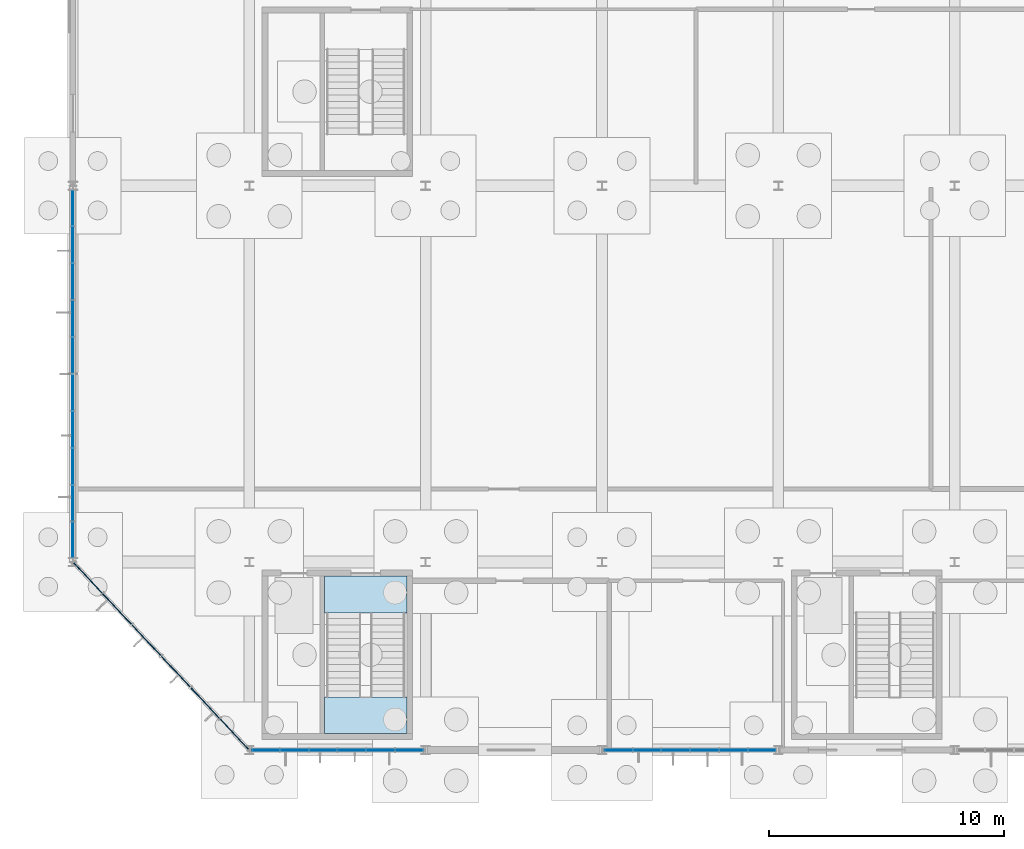
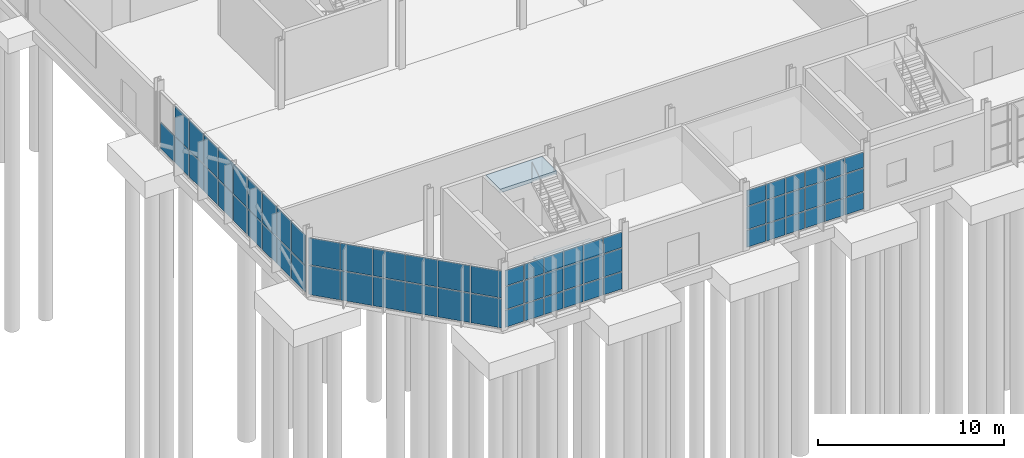
# One storey, part 81 of 136: 67 plates, 2 slabs, 5 elements without a shape of their own.
"""IFC4 building model written with IfcOpenShell, lengths in metres."""

from ifc_helpers import new_model, si_unit, direction, frame, origin, origin_2d, place, context, subcontext, project, spatial, polyline, rectangle, outline, extrude, material, layer, layer_set, type_object, element, aggregate, save


model = new_model("IFC4")

# Units and contexts
model_context = context("Model", 3, precision=1e-05, world=origin(), true_north=direction((0.0, 1.0)))
body_context = subcontext(model_context, "Body", "Model", "MODEL_VIEW")
ifc_project = project(units=[si_unit("LENGTHUNIT", "METRE"), si_unit("AREAUNIT", "SQUARE_METRE"), si_unit("VOLUMEUNIT", "CUBIC_METRE"), si_unit("PLANEANGLEUNIT", "RADIAN"), si_unit("MASSUNIT", "GRAM", prefix="KILO")], contexts=[model_context])

# Site, building, storey
site_placement = place(None, origin())
site = spatial("IfcSite", under=ifc_project, at=site_placement, CompositionType="ELEMENT")
building_placement = place(site_placement, origin())
building = spatial("IfcBuilding", under=site, at=building_placement, Name="Solvenia Promenade Tram Depot", CompositionType="ELEMENT")
storey_placement = place(building_placement, origin())
storey = spatial("IfcBuildingStorey", under=building, at=storey_placement, Name="L00", CompositionType="ELEMENT", Elevation=0.0)

# Curtain wall, plates
ifc_material_1 = material(Name="Anodized aluminium AW-6063 T6", Category="aluminium")
ifc_layer_1 = layer(ifc_material_1, 0.179931640625, Name="Anodized aluminium AW-6063 T6", Category="aluminium")
ifc_layer_set_1 = layer_set([ifc_layer_1], Name="Anodized aluminium AW-6063 T6")
curtain_wall_type_1 = type_object("IfcCurtainWallType", Name="CW-Prom-1800", PredefinedType="NOTDEFINED", material=ifc_layer_set_1)
curtain_wall_1_placement = place(storey_placement, origin())
curtain_wall_1 = element("IfcCurtainWall", 1, at=curtain_wall_1_placement, inside=storey, type_object=curtain_wall_type_1, Name="L00 West Park Faceted Prow Curtain Wall", PredefinedType="NOTDEFINED")
ifc_material_2 = material(Name="Double low-e argon insulated glass", Category="glass")
ifc_layer_2 = layer(ifc_material_2, 0.035888671875, Name="Double low-e argon insulated glass", Category="glass")
ifc_layer_set_2 = layer_set([ifc_layer_2], Name="Double low-e argon insulated glass")
plate_type = type_object("IfcPlateType", Name="CWP-Panel-3", PredefinedType="CURTAIN_PANEL", material=ifc_layer_set_2)
plate_1_placement = place(storey_placement, frame((0.63330078125, 7.324462890625, 0.057861328125), z_axis=(0.0, 0.0, 1.0), x_axis=(0.683941128881, -0.72953720414, 0.0)))
plate_1 = element("IfcPlate", 2, at=plate_1_placement, type_object=plate_type, Name="CW-9 panel 1.1", PredefinedType="CURTAIN_PANEL", context=body_context, shape_type="SweptSolid", body=[
    extrude(rectangle(XDim=1.755615234375, YDim=0.035888671875, at=origin_2d()), origin(), (0.0, 0.0, 1.0), 1.9130859375),
])
plate_2_placement = place(storey_placement, frame((0.63330078125, 7.324462890625, 2.02880859375), z_axis=(0.0, 0.0, 1.0), x_axis=(0.683941128881, -0.72953720414, 0.0)))
plate_2 = element("IfcPlate", 3, at=plate_2_placement, type_object=plate_type, Name="CW-9 panel 1.2", PredefinedType="CURTAIN_PANEL", context=body_context, shape_type="SweptSolid", body=[
    extrude(rectangle(XDim=1.755615234375, YDim=0.035888671875, at=origin_2d()), origin(), (0.0, 0.0, 1.0), 1.762939453125),
])
plate_3_placement = place(storey_placement, frame((1.875, 6.0, 0.057861328125), z_axis=(0.0, 0.0, 1.0), x_axis=(0.683941128881, -0.72953720414, 0.0)))
plate_3 = element("IfcPlate", 4, at=plate_3_placement, type_object=plate_type, Name="CW-9 panel 2.1", PredefinedType="CURTAIN_PANEL", context=body_context, shape_type="SweptSolid", body=[
    extrude(rectangle(XDim=1.779541015625, YDim=0.035888671875, at=origin_2d()), origin(), (0.0, 0.0, 1.0), 1.9130859375),
])
plate_4_placement = place(storey_placement, frame((1.875, 6.0, 2.02880859375), z_axis=(0.0, 0.0, 1.0), x_axis=(0.683941128881, -0.72953720414, 0.0)))
plate_4 = element("IfcPlate", 5, at=plate_4_placement, type_object=plate_type, Name="CW-9 panel 2.2", PredefinedType="CURTAIN_PANEL", context=body_context, shape_type="SweptSolid", body=[
    extrude(rectangle(XDim=1.779541015625, YDim=0.035888671875, at=origin_2d()), origin(), (0.0, 0.0, 1.0), 1.762939453125),
])
plate_5_placement = place(storey_placement, frame((3.125, 4.666748046875, 0.057861328125), z_axis=(0.0, 0.0, 1.0), x_axis=(0.683941128881, -0.72953720414, 0.0)))
plate_5 = element("IfcPlate", 6, at=plate_5_placement, type_object=plate_type, Name="CW-9 panel 3.1", PredefinedType="CURTAIN_PANEL", context=body_context, shape_type="SweptSolid", body=[
    extrude(rectangle(XDim=1.779541015625, YDim=0.035888671875, at=origin_2d()), origin(), (0.0, 0.0, 1.0), 1.9130859375),
])
plate_6_placement = place(storey_placement, frame((3.125, 4.666748046875, 2.02880859375), z_axis=(0.0, 0.0, 1.0), x_axis=(0.683941128881, -0.72953720414, 0.0)))
plate_6 = element("IfcPlate", 7, at=plate_6_placement, type_object=plate_type, Name="CW-9 panel 3.2", PredefinedType="CURTAIN_PANEL", context=body_context, shape_type="SweptSolid", body=[
    extrude(rectangle(XDim=1.779541015625, YDim=0.035888671875, at=origin_2d()), origin(), (0.0, 0.0, 1.0), 1.762939453125),
])
plate_7_placement = place(storey_placement, frame((4.375, 3.333251953125, 0.057861328125), z_axis=(0.0, 0.0, 1.0), x_axis=(0.683941128881, -0.72953720414, 0.0)))
plate_7 = element("IfcPlate", 8, at=plate_7_placement, type_object=plate_type, Name="CW-9 panel 4.1", PredefinedType="CURTAIN_PANEL", context=body_context, shape_type="SweptSolid", body=[
    extrude(rectangle(XDim=1.779541015625, YDim=0.035888671875, at=origin_2d()), origin(), (0.0, 0.0, 1.0), 1.9130859375),
])
plate_8_placement = place(storey_placement, frame((4.375, 3.333251953125, 2.02880859375), z_axis=(0.0, 0.0, 1.0), x_axis=(0.683941128881, -0.72953720414, 0.0)))
plate_8 = element("IfcPlate", 9, at=plate_8_placement, type_object=plate_type, Name="CW-9 panel 4.2", PredefinedType="CURTAIN_PANEL", context=body_context, shape_type="SweptSolid", body=[
    extrude(rectangle(XDim=1.779541015625, YDim=0.035888671875, at=origin_2d()), origin(), (0.0, 0.0, 1.0), 1.762939453125),
])
plate_9_placement = place(storey_placement, frame((5.625, 2.0, 0.057861328125), z_axis=(0.0, 0.0, 1.0), x_axis=(0.683941128881, -0.72953720414, 0.0)))
plate_9 = element("IfcPlate", 10, at=plate_9_placement, type_object=plate_type, Name="CW-9 panel 5.1", PredefinedType="CURTAIN_PANEL", context=body_context, shape_type="SweptSolid", body=[
    extrude(rectangle(XDim=1.779541015625, YDim=0.035888671875, at=origin_2d()), origin(), (0.0, 0.0, 1.0), 1.9130859375),
])
plate_10_placement = place(storey_placement, frame((5.625, 2.0, 2.02880859375), z_axis=(0.0, 0.0, 1.0), x_axis=(0.683941128881, -0.72953720414, 0.0)))
plate_10 = element("IfcPlate", 11, at=plate_10_placement, type_object=plate_type, Name="CW-9 panel 5.2", PredefinedType="CURTAIN_PANEL", context=body_context, shape_type="SweptSolid", body=[
    extrude(rectangle(XDim=1.779541015625, YDim=0.035888671875, at=origin_2d()), origin(), (0.0, 0.0, 1.0), 1.762939453125),
])
plate_11_placement = place(storey_placement, frame((6.86669921875, 0.675537109375, 0.057861328125), z_axis=(0.0, 0.0, 1.0), x_axis=(0.683941128881, -0.72953720414, 0.0)))
plate_11 = element("IfcPlate", 12, at=plate_11_placement, type_object=plate_type, Name="CW-9 panel 6.1", PredefinedType="CURTAIN_PANEL", context=body_context, shape_type="SweptSolid", body=[
    extrude(rectangle(XDim=1.755615234375, YDim=0.035888671875, at=origin_2d()), origin(), (0.0, 0.0, 1.0), 1.9130859375),
])
plate_12_placement = place(storey_placement, frame((6.86669921875, 0.675537109375, 2.02880859375), z_axis=(0.0, 0.0, 1.0), x_axis=(0.683941128881, -0.72953720414, 0.0)))
plate_12 = element("IfcPlate", 13, at=plate_12_placement, type_object=plate_type, Name="CW-9 panel 6.2", PredefinedType="CURTAIN_PANEL", context=body_context, shape_type="SweptSolid", body=[
    extrude(rectangle(XDim=1.755615234375, YDim=0.035888671875, at=origin_2d()), origin(), (0.0, 0.0, 1.0), 1.762939453125),
])
aggregate(curtain_wall_1, [plate_1, plate_2, plate_3, plate_4, plate_5, plate_6, plate_7, plate_8, plate_9, plate_10, plate_11, plate_12])

ifc_layer_3 = layer(ifc_material_1, 0.179931640625, Name="Anodized aluminium AW-6063 T6", Category="aluminium")
ifc_layer_set_3 = layer_set([ifc_layer_3], Name="Anodized aluminium AW-6063 T6")
curtain_wall_type_2 = type_object("IfcCurtainWallType", Name="CW-Solar-1250", PredefinedType="NOTDEFINED", material=ifc_layer_set_3)
curtain_wall_2_placement = place(storey_placement, origin())
curtain_wall_2 = element("IfcCurtainWall", 14, at=curtain_wall_2_placement, inside=storey, type_object=curtain_wall_type_2, Name="Curtain Wall CW-V4S-L00-01", PredefinedType="NOTDEFINED")
plate_13_placement = place(storey_placement, frame((8.20361328125, 0.0, 0.05810546875), z_axis=(0.0, 0.0, 1.0), x_axis=(1.0, 0.0, 0.0)))
plate_13 = element("IfcPlate", 15, at=plate_13_placement, type_object=plate_type, Name="CW-6 panel 1.1", PredefinedType="CURTAIN_PANEL", context=body_context, shape_type="SweptSolid", body=[
    extrude(rectangle(XDim=1.1513671875, YDim=0.035888671875, at=origin_2d()), origin(), (0.0, 0.0, 1.0), 1.113037109375),
])
plate_14_placement = place(storey_placement, frame((8.20361328125, 0.0, 1.22900390625), z_axis=(0.0, 0.0, 1.0), x_axis=(1.0, 0.0, 0.0)))
plate_14 = element("IfcPlate", 16, at=plate_14_placement, type_object=plate_type, Name="CW-6 panel 1.2", PredefinedType="CURTAIN_PANEL", context=body_context, shape_type="SweptSolid", body=[
    extrude(rectangle(XDim=1.1513671875, YDim=0.035888671875, at=origin_2d()), origin(), (0.0, 0.0, 1.0), 1.491943359375),
])
plate_15_placement = place(storey_placement, frame((8.20361328125, 0.0, 2.77880859375), z_axis=(0.0, 0.0, 1.0), x_axis=(1.0, 0.0, 0.0)))
plate_15 = element("IfcPlate", 17, at=plate_15_placement, type_object=plate_type, Name="CW-6 panel 1.3", PredefinedType="CURTAIN_PANEL", context=body_context, shape_type="SweptSolid", body=[
    extrude(rectangle(XDim=1.1513671875, YDim=0.035888671875, at=origin_2d()), origin(), (0.0, 0.0, 1.0), 1.012939453125),
])
plate_16_placement = place(storey_placement, frame((9.4150390625, 0.0, 0.05810546875), z_axis=(0.0, 0.0, 1.0), x_axis=(1.0, 0.0, 0.0)))
plate_16 = element("IfcPlate", 18, at=plate_16_placement, type_object=plate_type, Name="CW-6 panel 2.1", PredefinedType="CURTAIN_PANEL", context=body_context, shape_type="SweptSolid", body=[
    extrude(rectangle(XDim=1.17529296875, YDim=0.035888671875, at=origin_2d()), origin(), (0.0, 0.0, 1.0), 1.113037109375),
])
plate_17_placement = place(storey_placement, frame((9.4150390625, 0.0, 1.22900390625), z_axis=(0.0, 0.0, 1.0), x_axis=(1.0, 0.0, 0.0)))
plate_17 = element("IfcPlate", 19, at=plate_17_placement, type_object=plate_type, Name="CW-6 panel 2.2", PredefinedType="CURTAIN_PANEL", context=body_context, shape_type="SweptSolid", body=[
    extrude(rectangle(XDim=1.17529296875, YDim=0.035888671875, at=origin_2d()), origin(), (0.0, 0.0, 1.0), 1.491943359375),
])
plate_18_placement = place(storey_placement, frame((9.4150390625, 0.0, 2.77880859375), z_axis=(0.0, 0.0, 1.0), x_axis=(1.0, 0.0, 0.0)))
plate_18 = element("IfcPlate", 20, at=plate_18_placement, type_object=plate_type, Name="CW-6 panel 2.3", PredefinedType="CURTAIN_PANEL", context=body_context, shape_type="SweptSolid", body=[
    extrude(rectangle(XDim=1.17529296875, YDim=0.035888671875, at=origin_2d()), origin(), (0.0, 0.0, 1.0), 1.012939453125),
])
plate_19_placement = place(storey_placement, frame((10.638427734375, 0.0, 0.05810546875), z_axis=(0.0, 0.0, 1.0), x_axis=(1.0, 0.0, 0.0)))
plate_19 = element("IfcPlate", 21, at=plate_19_placement, type_object=plate_type, Name="CW-6 panel 3.1", PredefinedType="CURTAIN_PANEL", context=body_context, shape_type="SweptSolid", body=[
    extrude(rectangle(XDim=1.17529296875, YDim=0.035888671875, at=origin_2d()), origin(), (0.0, 0.0, 1.0), 1.113037109375),
])
plate_20_placement = place(storey_placement, frame((10.638427734375, 0.0, 1.22900390625), z_axis=(0.0, 0.0, 1.0), x_axis=(1.0, 0.0, 0.0)))
plate_20 = element("IfcPlate", 22, at=plate_20_placement, type_object=plate_type, Name="CW-6 panel 3.2", PredefinedType="CURTAIN_PANEL", context=body_context, shape_type="SweptSolid", body=[
    extrude(rectangle(XDim=1.17529296875, YDim=0.035888671875, at=origin_2d()), origin(), (0.0, 0.0, 1.0), 1.491943359375),
])
plate_21_placement = place(storey_placement, frame((10.638427734375, 0.0, 2.77880859375), z_axis=(0.0, 0.0, 1.0), x_axis=(1.0, 0.0, 0.0)))
plate_21 = element("IfcPlate", 23, at=plate_21_placement, type_object=plate_type, Name="CW-6 panel 3.3", PredefinedType="CURTAIN_PANEL", context=body_context, shape_type="SweptSolid", body=[
    extrude(rectangle(XDim=1.17529296875, YDim=0.035888671875, at=origin_2d()), origin(), (0.0, 0.0, 1.0), 1.012939453125),
])
plate_22_placement = place(storey_placement, frame((11.861572265625, 0.0, 0.05810546875), z_axis=(0.0, 0.0, 1.0), x_axis=(1.0, 0.0, 0.0)))
plate_22 = element("IfcPlate", 24, at=plate_22_placement, type_object=plate_type, Name="CW-6 panel 4.1", PredefinedType="CURTAIN_PANEL", context=body_context, shape_type="SweptSolid", body=[
    extrude(rectangle(XDim=1.17529296875, YDim=0.035888671875, at=origin_2d()), origin(), (0.0, 0.0, 1.0), 1.113037109375),
])
plate_23_placement = place(storey_placement, frame((11.861572265625, 0.0, 1.22900390625), z_axis=(0.0, 0.0, 1.0), x_axis=(1.0, 0.0, 0.0)))
plate_23 = element("IfcPlate", 25, at=plate_23_placement, type_object=plate_type, Name="CW-6 panel 4.2", PredefinedType="CURTAIN_PANEL", context=body_context, shape_type="SweptSolid", body=[
    extrude(rectangle(XDim=1.17529296875, YDim=0.035888671875, at=origin_2d()), origin(), (0.0, 0.0, 1.0), 1.491943359375),
])
plate_24_placement = place(storey_placement, frame((11.861572265625, 0.0, 2.77880859375), z_axis=(0.0, 0.0, 1.0), x_axis=(1.0, 0.0, 0.0)))
plate_24 = element("IfcPlate", 26, at=plate_24_placement, type_object=plate_type, Name="CW-6 panel 4.3", PredefinedType="CURTAIN_PANEL", context=body_context, shape_type="SweptSolid", body=[
    extrude(rectangle(XDim=1.17529296875, YDim=0.035888671875, at=origin_2d()), origin(), (0.0, 0.0, 1.0), 1.012939453125),
])
plate_25_placement = place(storey_placement, frame((13.0849609375, 0.0, 0.05810546875), z_axis=(0.0, 0.0, 1.0), x_axis=(1.0, 0.0, 0.0)))
plate_25 = element("IfcPlate", 27, at=plate_25_placement, type_object=plate_type, Name="CW-6 panel 5.1", PredefinedType="CURTAIN_PANEL", context=body_context, shape_type="SweptSolid", body=[
    extrude(rectangle(XDim=1.17529296875, YDim=0.035888671875, at=origin_2d()), origin(), (0.0, 0.0, 1.0), 1.113037109375),
])
plate_26_placement = place(storey_placement, frame((13.0849609375, 0.0, 1.22900390625), z_axis=(0.0, 0.0, 1.0), x_axis=(1.0, 0.0, 0.0)))
plate_26 = element("IfcPlate", 28, at=plate_26_placement, type_object=plate_type, Name="CW-6 panel 5.2", PredefinedType="CURTAIN_PANEL", context=body_context, shape_type="SweptSolid", body=[
    extrude(rectangle(XDim=1.17529296875, YDim=0.035888671875, at=origin_2d()), origin(), (0.0, 0.0, 1.0), 1.491943359375),
])
plate_27_placement = place(storey_placement, frame((13.0849609375, 0.0, 2.77880859375), z_axis=(0.0, 0.0, 1.0), x_axis=(1.0, 0.0, 0.0)))
plate_27 = element("IfcPlate", 29, at=plate_27_placement, type_object=plate_type, Name="CW-6 panel 5.3", PredefinedType="CURTAIN_PANEL", context=body_context, shape_type="SweptSolid", body=[
    extrude(rectangle(XDim=1.17529296875, YDim=0.035888671875, at=origin_2d()), origin(), (0.0, 0.0, 1.0), 1.012939453125),
])
plate_28_placement = place(storey_placement, frame((14.29638671875, 0.0, 0.05810546875), z_axis=(0.0, 0.0, 1.0), x_axis=(1.0, 0.0, 0.0)))
plate_28 = element("IfcPlate", 30, at=plate_28_placement, type_object=plate_type, Name="CW-6 panel 6.1", PredefinedType="CURTAIN_PANEL", context=body_context, shape_type="SweptSolid", body=[
    extrude(rectangle(XDim=1.1513671875, YDim=0.035888671875, at=origin_2d()), origin(), (0.0, 0.0, 1.0), 1.113037109375),
])
plate_29_placement = place(storey_placement, frame((14.29638671875, 0.0, 1.22900390625), z_axis=(0.0, 0.0, 1.0), x_axis=(1.0, 0.0, 0.0)))
plate_29 = element("IfcPlate", 31, at=plate_29_placement, type_object=plate_type, Name="CW-6 panel 6.2", PredefinedType="CURTAIN_PANEL", context=body_context, shape_type="SweptSolid", body=[
    extrude(rectangle(XDim=1.1513671875, YDim=0.035888671875, at=origin_2d()), origin(), (0.0, 0.0, 1.0), 1.491943359375),
])
plate_30_placement = place(storey_placement, frame((14.29638671875, 0.0, 2.77880859375), z_axis=(0.0, 0.0, 1.0), x_axis=(1.0, 0.0, 0.0)))
plate_30 = element("IfcPlate", 32, at=plate_30_placement, type_object=plate_type, Name="CW-6 panel 6.3", PredefinedType="CURTAIN_PANEL", context=body_context, shape_type="SweptSolid", body=[
    extrude(rectangle(XDim=1.1513671875, YDim=0.035888671875, at=origin_2d()), origin(), (0.0, 0.0, 1.0), 1.012939453125),
])
aggregate(curtain_wall_2, [plate_13, plate_14, plate_15, plate_16, plate_17, plate_18, plate_19, plate_20, plate_21, plate_22, plate_23, plate_24, plate_25, plate_26, plate_27, plate_28, plate_29, plate_30])

curtain_wall_3_placement = place(storey_placement, origin())
curtain_wall_3 = element("IfcCurtainWall", 33, at=curtain_wall_3_placement, inside=storey, type_object=curtain_wall_type_2, Name="Curtain Wall CW-V4S-L00-03", PredefinedType="NOTDEFINED")
plate_31_placement = place(storey_placement, frame((23.20361328125, 0.0, 0.05810546875), z_axis=(0.0, 0.0, 1.0), x_axis=(1.0, 0.0, 0.0)))
plate_31 = element("IfcPlate", 34, at=plate_31_placement, type_object=plate_type, Name="CW-6 panel 1.1", PredefinedType="CURTAIN_PANEL", context=body_context, shape_type="SweptSolid", body=[
    extrude(rectangle(XDim=1.1513671875, YDim=0.035888671875, at=origin_2d()), origin(), (0.0, 0.0, 1.0), 1.113037109375),
])
plate_32_placement = place(storey_placement, frame((23.20361328125, 0.0, 1.22900390625), z_axis=(0.0, 0.0, 1.0), x_axis=(1.0, 0.0, 0.0)))
plate_32 = element("IfcPlate", 35, at=plate_32_placement, type_object=plate_type, Name="CW-6 panel 1.2", PredefinedType="CURTAIN_PANEL", context=body_context, shape_type="SweptSolid", body=[
    extrude(rectangle(XDim=1.1513671875, YDim=0.035888671875, at=origin_2d()), origin(), (0.0, 0.0, 1.0), 1.491943359375),
])
plate_33_placement = place(storey_placement, frame((23.20361328125, 0.0, 2.77880859375), z_axis=(0.0, 0.0, 1.0), x_axis=(1.0, 0.0, 0.0)))
plate_33 = element("IfcPlate", 36, at=plate_33_placement, type_object=plate_type, Name="CW-6 panel 1.3", PredefinedType="CURTAIN_PANEL", context=body_context, shape_type="SweptSolid", body=[
    extrude(rectangle(XDim=1.1513671875, YDim=0.035888671875, at=origin_2d()), origin(), (0.0, 0.0, 1.0), 1.012939453125),
])
plate_34_placement = place(storey_placement, frame((24.4150390625, 0.0, 0.05810546875), z_axis=(0.0, 0.0, 1.0), x_axis=(1.0, 0.0, 0.0)))
plate_34 = element("IfcPlate", 37, at=plate_34_placement, type_object=plate_type, Name="CW-6 panel 2.1", PredefinedType="CURTAIN_PANEL", context=body_context, shape_type="SweptSolid", body=[
    extrude(rectangle(XDim=1.17529296875, YDim=0.035888671875, at=origin_2d()), origin(), (0.0, 0.0, 1.0), 1.113037109375),
])
plate_35_placement = place(storey_placement, frame((24.4150390625, 0.0, 1.22900390625), z_axis=(0.0, 0.0, 1.0), x_axis=(1.0, 0.0, 0.0)))
plate_35 = element("IfcPlate", 38, at=plate_35_placement, type_object=plate_type, Name="CW-6 panel 2.2", PredefinedType="CURTAIN_PANEL", context=body_context, shape_type="SweptSolid", body=[
    extrude(rectangle(XDim=1.17529296875, YDim=0.035888671875, at=origin_2d()), origin(), (0.0, 0.0, 1.0), 1.491943359375),
])
plate_36_placement = place(storey_placement, frame((24.4150390625, 0.0, 2.77880859375), z_axis=(0.0, 0.0, 1.0), x_axis=(1.0, 0.0, 0.0)))
plate_36 = element("IfcPlate", 39, at=plate_36_placement, type_object=plate_type, Name="CW-6 panel 2.3", PredefinedType="CURTAIN_PANEL", context=body_context, shape_type="SweptSolid", body=[
    extrude(rectangle(XDim=1.17529296875, YDim=0.035888671875, at=origin_2d()), origin(), (0.0, 0.0, 1.0), 1.012939453125),
])
plate_37_placement = place(storey_placement, frame((25.638427734375, 0.0, 0.05810546875), z_axis=(0.0, 0.0, 1.0), x_axis=(1.0, 0.0, 0.0)))
plate_37 = element("IfcPlate", 40, at=plate_37_placement, type_object=plate_type, Name="CW-6 panel 3.1", PredefinedType="CURTAIN_PANEL", context=body_context, shape_type="SweptSolid", body=[
    extrude(rectangle(XDim=1.17529296875, YDim=0.035888671875, at=origin_2d()), origin(), (0.0, 0.0, 1.0), 1.113037109375),
])
plate_38_placement = place(storey_placement, frame((25.638427734375, 0.0, 1.22900390625), z_axis=(0.0, 0.0, 1.0), x_axis=(1.0, 0.0, 0.0)))
plate_38 = element("IfcPlate", 41, at=plate_38_placement, type_object=plate_type, Name="CW-6 panel 3.2", PredefinedType="CURTAIN_PANEL", context=body_context, shape_type="SweptSolid", body=[
    extrude(rectangle(XDim=1.17529296875, YDim=0.035888671875, at=origin_2d()), origin(), (0.0, 0.0, 1.0), 1.491943359375),
])
plate_39_placement = place(storey_placement, frame((25.638427734375, 0.0, 2.77880859375), z_axis=(0.0, 0.0, 1.0), x_axis=(1.0, 0.0, 0.0)))
plate_39 = element("IfcPlate", 42, at=plate_39_placement, type_object=plate_type, Name="CW-6 panel 3.3", PredefinedType="CURTAIN_PANEL", context=body_context, shape_type="SweptSolid", body=[
    extrude(rectangle(XDim=1.17529296875, YDim=0.035888671875, at=origin_2d()), origin(), (0.0, 0.0, 1.0), 1.012939453125),
])
plate_40_placement = place(storey_placement, frame((26.861572265625, 0.0, 0.05810546875), z_axis=(0.0, 0.0, 1.0), x_axis=(1.0, 0.0, 0.0)))
plate_40 = element("IfcPlate", 43, at=plate_40_placement, type_object=plate_type, Name="CW-6 panel 4.1", PredefinedType="CURTAIN_PANEL", context=body_context, shape_type="SweptSolid", body=[
    extrude(rectangle(XDim=1.17529296875, YDim=0.035888671875, at=origin_2d()), origin(), (0.0, 0.0, 1.0), 1.113037109375),
])
plate_41_placement = place(storey_placement, frame((26.861572265625, 0.0, 1.22900390625), z_axis=(0.0, 0.0, 1.0), x_axis=(1.0, 0.0, 0.0)))
plate_41 = element("IfcPlate", 44, at=plate_41_placement, type_object=plate_type, Name="CW-6 panel 4.2", PredefinedType="CURTAIN_PANEL", context=body_context, shape_type="SweptSolid", body=[
    extrude(rectangle(XDim=1.17529296875, YDim=0.035888671875, at=origin_2d()), origin(), (0.0, 0.0, 1.0), 1.491943359375),
])
plate_42_placement = place(storey_placement, frame((26.861572265625, 0.0, 2.77880859375), z_axis=(0.0, 0.0, 1.0), x_axis=(1.0, 0.0, 0.0)))
plate_42 = element("IfcPlate", 45, at=plate_42_placement, type_object=plate_type, Name="CW-6 panel 4.3", PredefinedType="CURTAIN_PANEL", context=body_context, shape_type="SweptSolid", body=[
    extrude(rectangle(XDim=1.17529296875, YDim=0.035888671875, at=origin_2d()), origin(), (0.0, 0.0, 1.0), 1.012939453125),
])
plate_43_placement = place(storey_placement, frame((28.0849609375, 0.0, 0.05810546875), z_axis=(0.0, 0.0, 1.0), x_axis=(1.0, 0.0, 0.0)))
plate_43 = element("IfcPlate", 46, at=plate_43_placement, type_object=plate_type, Name="CW-6 panel 5.1", PredefinedType="CURTAIN_PANEL", context=body_context, shape_type="SweptSolid", body=[
    extrude(rectangle(XDim=1.17529296875, YDim=0.035888671875, at=origin_2d()), origin(), (0.0, 0.0, 1.0), 1.113037109375),
])
plate_44_placement = place(storey_placement, frame((28.0849609375, 0.0, 1.22900390625), z_axis=(0.0, 0.0, 1.0), x_axis=(1.0, 0.0, 0.0)))
plate_44 = element("IfcPlate", 47, at=plate_44_placement, type_object=plate_type, Name="CW-6 panel 5.2", PredefinedType="CURTAIN_PANEL", context=body_context, shape_type="SweptSolid", body=[
    extrude(rectangle(XDim=1.17529296875, YDim=0.035888671875, at=origin_2d()), origin(), (0.0, 0.0, 1.0), 1.491943359375),
])
plate_45_placement = place(storey_placement, frame((28.0849609375, 0.0, 2.77880859375), z_axis=(0.0, 0.0, 1.0), x_axis=(1.0, 0.0, 0.0)))
plate_45 = element("IfcPlate", 48, at=plate_45_placement, type_object=plate_type, Name="CW-6 panel 5.3", PredefinedType="CURTAIN_PANEL", context=body_context, shape_type="SweptSolid", body=[
    extrude(rectangle(XDim=1.17529296875, YDim=0.035888671875, at=origin_2d()), origin(), (0.0, 0.0, 1.0), 1.012939453125),
])
plate_46_placement = place(storey_placement, frame((29.29638671875, 0.0, 0.05810546875), z_axis=(0.0, 0.0, 1.0), x_axis=(1.0, 0.0, 0.0)))
plate_46 = element("IfcPlate", 49, at=plate_46_placement, type_object=plate_type, Name="CW-6 panel 6.1", PredefinedType="CURTAIN_PANEL", context=body_context, shape_type="SweptSolid", body=[
    extrude(rectangle(XDim=1.1513671875, YDim=0.035888671875, at=origin_2d()), origin(), (0.0, 0.0, 1.0), 1.113037109375),
])
plate_47_placement = place(storey_placement, frame((29.29638671875, 0.0, 1.22900390625), z_axis=(0.0, 0.0, 1.0), x_axis=(1.0, 0.0, 0.0)))
plate_47 = element("IfcPlate", 50, at=plate_47_placement, type_object=plate_type, Name="CW-6 panel 6.2", PredefinedType="CURTAIN_PANEL", context=body_context, shape_type="SweptSolid", body=[
    extrude(rectangle(XDim=1.1513671875, YDim=0.035888671875, at=origin_2d()), origin(), (0.0, 0.0, 1.0), 1.491943359375),
])
plate_48_placement = place(storey_placement, frame((29.29638671875, 0.0, 2.77880859375), z_axis=(0.0, 0.0, 1.0), x_axis=(1.0, 0.0, 0.0)))
plate_48 = element("IfcPlate", 51, at=plate_48_placement, type_object=plate_type, Name="CW-6 panel 6.3", PredefinedType="CURTAIN_PANEL", context=body_context, shape_type="SweptSolid", body=[
    extrude(rectangle(XDim=1.1513671875, YDim=0.035888671875, at=origin_2d()), origin(), (0.0, 0.0, 1.0), 1.012939453125),
])
aggregate(curtain_wall_3, [plate_31, plate_32, plate_33, plate_34, plate_35, plate_36, plate_37, plate_38, plate_39, plate_40, plate_41, plate_42, plate_43, plate_44, plate_45, plate_46, plate_47, plate_48])

ifc_layer_4 = layer(ifc_material_1, 0.179931640625, Name="Anodized aluminium AW-6063 T6", Category="aluminium")
ifc_layer_set_4 = layer_set([ifc_layer_4], Name="Anodized aluminium AW-6063 T6")
curtain_wall_type_3 = type_object("IfcCurtainWallType", Name="CW-Solar-1500", PredefinedType="NOTDEFINED", material=ifc_layer_set_4)
curtain_wall_4_placement = place(storey_placement, origin())
curtain_wall_4 = element("IfcCurtainWall", 52, at=curtain_wall_4_placement, inside=storey, type_object=curtain_wall_type_3, Name="Curtain Wall CW-V4W-L00", PredefinedType="NOTDEFINED")
plate_49_placement = place(storey_placement, frame((0.0, 8.947021484375, 0.05810546875), z_axis=(0.0, 0.0, 1.0), x_axis=(0.0, 1.0, 0.0)))
plate_49 = element("IfcPlate", 53, at=plate_49_placement, type_object=plate_type, Name="CW-7 panel 1.1", PredefinedType="CURTAIN_PANEL", context=body_context, shape_type="SweptSolid", body=[
    extrude(rectangle(XDim=1.498046875, YDim=0.035888671875, at=origin_2d()), origin(), (0.0, 0.0, 1.0), 1.712890625),
])
plate_50_placement = place(storey_placement, frame((0.0, 8.947021484375, 1.8291015625), z_axis=(0.0, 0.0, 1.0), x_axis=(0.0, 1.0, 0.0)))
plate_50 = element("IfcPlate", 54, at=plate_50_placement, type_object=plate_type, Name="CW-7 panel 1.2", PredefinedType="CURTAIN_PANEL", context=body_context, shape_type="SweptSolid", body=[
    extrude(rectangle(XDim=1.498046875, YDim=0.035888671875, at=origin_2d()), origin(), (0.0, 0.0, 1.0), 1.962890625),
])
plate_51_placement = place(storey_placement, frame((0.0, 10.5048828125, 0.05810546875), z_axis=(0.0, 0.0, 1.0), x_axis=(0.0, 1.0, 0.0)))
plate_51 = element("IfcPlate", 55, at=plate_51_placement, type_object=plate_type, Name="CW-7 panel 2.1", PredefinedType="CURTAIN_PANEL", context=body_context, shape_type="SweptSolid", body=[
    extrude(rectangle(XDim=1.52197265625, YDim=0.035888671875, at=origin_2d()), origin(), (0.0, 0.0, 1.0), 1.712890625),
])
plate_52_placement = place(storey_placement, frame((0.0, 10.5048828125, 1.8291015625), z_axis=(0.0, 0.0, 1.0), x_axis=(0.0, 1.0, 0.0)))
plate_52 = element("IfcPlate", 56, at=plate_52_placement, type_object=plate_type, Name="CW-7 panel 2.2", PredefinedType="CURTAIN_PANEL", context=body_context, shape_type="SweptSolid", body=[
    extrude(rectangle(XDim=1.52197265625, YDim=0.035888671875, at=origin_2d()), origin(), (0.0, 0.0, 1.0), 1.962890625),
])
plate_53_placement = place(storey_placement, frame((0.0, 12.074951171875, 0.05810546875), z_axis=(0.0, 0.0, 1.0), x_axis=(0.0, 1.0, 0.0)))
plate_53 = element("IfcPlate", 57, at=plate_53_placement, type_object=plate_type, Name="CW-7 panel 3.1", PredefinedType="CURTAIN_PANEL", context=body_context, shape_type="SweptSolid", body=[
    extrude(rectangle(XDim=1.52197265625, YDim=0.035888671875, at=origin_2d()), origin(), (0.0, 0.0, 1.0), 1.712890625),
])
plate_54_placement = place(storey_placement, frame((0.0, 12.074951171875, 1.8291015625), z_axis=(0.0, 0.0, 1.0), x_axis=(0.0, 1.0, 0.0)))
plate_54 = element("IfcPlate", 58, at=plate_54_placement, type_object=plate_type, Name="CW-7 panel 3.2", PredefinedType="CURTAIN_PANEL", context=body_context, shape_type="SweptSolid", body=[
    extrude(rectangle(XDim=1.52197265625, YDim=0.035888671875, at=origin_2d()), origin(), (0.0, 0.0, 1.0), 1.962890625),
])
plate_55_placement = place(storey_placement, frame((0.0, 13.64501953125, 0.05810546875), z_axis=(0.0, 0.0, 1.0), x_axis=(0.0, 1.0, 0.0)))
plate_55 = element("IfcPlate", 59, at=plate_55_placement, type_object=plate_type, Name="CW-7 panel 4.1", PredefinedType="CURTAIN_PANEL", context=body_context, shape_type="SweptSolid", body=[
    extrude(rectangle(XDim=1.52197265625, YDim=0.035888671875, at=origin_2d()), origin(), (0.0, 0.0, 1.0), 1.712890625),
])
plate_56_placement = place(storey_placement, frame((0.0, 13.64501953125, 1.8291015625), z_axis=(0.0, 0.0, 1.0), x_axis=(0.0, 1.0, 0.0)))
plate_56 = element("IfcPlate", 60, at=plate_56_placement, type_object=plate_type, Name="CW-7 panel 4.2", PredefinedType="CURTAIN_PANEL", context=body_context, shape_type="SweptSolid", body=[
    extrude(rectangle(XDim=1.52197265625, YDim=0.035888671875, at=origin_2d()), origin(), (0.0, 0.0, 1.0), 1.962890625),
])
plate_57_placement = place(storey_placement, frame((0.0, 15.215087890625, 0.05810546875), z_axis=(0.0, 0.0, 1.0), x_axis=(0.0, 1.0, 0.0)))
plate_57 = element("IfcPlate", 61, at=plate_57_placement, type_object=plate_type, Name="CW-7 panel 5.1", PredefinedType="CURTAIN_PANEL", context=body_context, shape_type="SweptSolid", body=[
    extrude(rectangle(XDim=1.52197265625, YDim=0.035888671875, at=origin_2d()), origin(), (0.0, 0.0, 1.0), 1.712890625),
])
plate_58_placement = place(storey_placement, frame((0.0, 15.215087890625, 1.8291015625), z_axis=(0.0, 0.0, 1.0), x_axis=(0.0, 1.0, 0.0)))
plate_58 = element("IfcPlate", 62, at=plate_58_placement, type_object=plate_type, Name="CW-7 panel 5.2", PredefinedType="CURTAIN_PANEL", context=body_context, shape_type="SweptSolid", body=[
    extrude(rectangle(XDim=1.52197265625, YDim=0.035888671875, at=origin_2d()), origin(), (0.0, 0.0, 1.0), 1.962890625),
])
plate_59_placement = place(storey_placement, frame((0.0, 16.784912109375, 0.05810546875), z_axis=(0.0, 0.0, 1.0), x_axis=(0.0, 1.0, 0.0)))
plate_59 = element("IfcPlate", 63, at=plate_59_placement, type_object=plate_type, Name="CW-7 panel 6.1", PredefinedType="CURTAIN_PANEL", context=body_context, shape_type="SweptSolid", body=[
    extrude(rectangle(XDim=1.52197265625, YDim=0.035888671875, at=origin_2d()), origin(), (0.0, 0.0, 1.0), 1.712890625),
])
plate_60_placement = place(storey_placement, frame((0.0, 16.784912109375, 1.8291015625), z_axis=(0.0, 0.0, 1.0), x_axis=(0.0, 1.0, 0.0)))
plate_60 = element("IfcPlate", 64, at=plate_60_placement, type_object=plate_type, Name="CW-7 panel 6.2", PredefinedType="CURTAIN_PANEL", context=body_context, shape_type="SweptSolid", body=[
    extrude(rectangle(XDim=1.52197265625, YDim=0.035888671875, at=origin_2d()), origin(), (0.0, 0.0, 1.0), 1.962890625),
])
plate_61_placement = place(storey_placement, frame((0.0, 18.35498046875, 0.05810546875), z_axis=(0.0, 0.0, 1.0), x_axis=(0.0, 1.0, 0.0)))
plate_61 = element("IfcPlate", 65, at=plate_61_placement, type_object=plate_type, Name="CW-7 panel 7.1", PredefinedType="CURTAIN_PANEL", context=body_context, shape_type="SweptSolid", body=[
    extrude(rectangle(XDim=1.52197265625, YDim=0.035888671875, at=origin_2d()), origin(), (0.0, 0.0, 1.0), 1.712890625),
])
plate_62_placement = place(storey_placement, frame((0.0, 18.35498046875, 1.8291015625), z_axis=(0.0, 0.0, 1.0), x_axis=(0.0, 1.0, 0.0)))
plate_62 = element("IfcPlate", 66, at=plate_62_placement, type_object=plate_type, Name="CW-7 panel 7.2", PredefinedType="CURTAIN_PANEL", context=body_context, shape_type="SweptSolid", body=[
    extrude(rectangle(XDim=1.52197265625, YDim=0.035888671875, at=origin_2d()), origin(), (0.0, 0.0, 1.0), 1.962890625),
])
plate_63_placement = place(storey_placement, frame((0.0, 19.925048828125, 0.05810546875), z_axis=(0.0, 0.0, 1.0), x_axis=(0.0, 1.0, 0.0)))
plate_63 = element("IfcPlate", 67, at=plate_63_placement, type_object=plate_type, Name="CW-7 panel 8.1", PredefinedType="CURTAIN_PANEL", context=body_context, shape_type="SweptSolid", body=[
    extrude(rectangle(XDim=1.52197265625, YDim=0.035888671875, at=origin_2d()), origin(), (0.0, 0.0, 1.0), 1.712890625),
])
plate_64_placement = place(storey_placement, frame((0.0, 19.925048828125, 1.8291015625), z_axis=(0.0, 0.0, 1.0), x_axis=(0.0, 1.0, 0.0)))
plate_64 = element("IfcPlate", 68, at=plate_64_placement, type_object=plate_type, Name="CW-7 panel 8.2", PredefinedType="CURTAIN_PANEL", context=body_context, shape_type="SweptSolid", body=[
    extrude(rectangle(XDim=1.52197265625, YDim=0.035888671875, at=origin_2d()), origin(), (0.0, 0.0, 1.0), 1.962890625),
])
plate_65_placement = place(storey_placement, frame((0.0, 21.4951171875, 0.05810546875), z_axis=(0.0, 0.0, 1.0), x_axis=(0.0, 1.0, 0.0)))
plate_65 = element("IfcPlate", 69, at=plate_65_placement, type_object=plate_type, Name="CW-7 panel 9.1", PredefinedType="CURTAIN_PANEL", context=body_context, shape_type="SweptSolid", body=[
    extrude(rectangle(XDim=1.52197265625, YDim=0.035888671875, at=origin_2d()), origin(), (0.0, 0.0, 1.0), 1.712890625),
])
plate_66_placement = place(storey_placement, frame((0.0, 21.4951171875, 1.8291015625), z_axis=(0.0, 0.0, 1.0), x_axis=(0.0, 1.0, 0.0)))
plate_66 = element("IfcPlate", 70, at=plate_66_placement, type_object=plate_type, Name="CW-7 panel 9.2", PredefinedType="CURTAIN_PANEL", context=body_context, shape_type="SweptSolid", body=[
    extrude(rectangle(XDim=1.52197265625, YDim=0.035888671875, at=origin_2d()), origin(), (0.0, 0.0, 1.0), 1.962890625),
])
plate_67_placement = place(storey_placement, frame((0.0, 23.052978515625, 0.05810546875), z_axis=(0.0, 0.0, 1.0), x_axis=(0.0, 1.0, 0.0)))
plate_67 = element("IfcPlate", 71, at=plate_67_placement, type_object=plate_type, Name="CW-7 panel 10.1", PredefinedType="CURTAIN_PANEL", context=body_context, shape_type="SweptSolid", body=[
    extrude(rectangle(XDim=1.498046875, YDim=0.035888671875, at=origin_2d()), origin(), (0.0, 0.0, 1.0), 1.712890625),
])
aggregate(curtain_wall_4, [plate_49, plate_50, plate_51, plate_52, plate_53, plate_54, plate_55, plate_56, plate_57, plate_58, plate_59, plate_60, plate_61, plate_62, plate_63, plate_64, plate_65, plate_66, plate_67])

# Stair, slabs
ifc_material_3 = material(Name="Concrete C28/35", Category="concrete")
stair_type = type_object("IfcStairType", Name="Stair-Core-1460", PredefinedType="TWO_STRAIGHT_RUN_STAIR", material=ifc_material_3)
stair_placement = place(storey_placement, origin())
stair = element("IfcStair", 72, at=stair_placement, inside=storey, type_object=stair_type, Name="Enclosed Exit Stair ST-01-L00", PredefinedType="TWO_STRAIGHT_RUN_STAIR")
ifc_layer_5 = layer(ifc_material_3, 0.235107421875, Name="Concrete C28/35", Category="concrete")
ifc_layer_set_5 = layer_set([ifc_layer_5], Name="Concrete C28/35")
slab_type = type_object("IfcSlabType", Name="Slab-Landing-235", PredefinedType="LANDING", material=ifc_layer_set_5)
slab_1_placement = place(storey_placement, frame((0.0, 0.0, 2.014892578125)))
slab_1 = element("IfcSlab", 73, at=slab_1_placement, type_object=slab_type, Name="ST-01-L00 landing 1", PredefinedType="LANDING", context=body_context, shape_type="SweptSolid", body=[
    extrude(outline(polyline([(10.699951171875, 0.699951171875), (14.199951171875, 0.699951171875), (14.199951171875, 2.260009765625), (10.699951171875, 2.260009765625), (10.699951171875, 0.699951171875)])), origin(), (0.0, 0.0, 1.0), 0.235107421875),
])
slab_2_placement = place(storey_placement, frame((0.0, 0.0, 4.264892578125)))
slab_2 = element("IfcSlab", 74, at=slab_2_placement, type_object=slab_type, Name="ST-01-L00 landing 2", PredefinedType="LANDING", context=body_context, shape_type="SweptSolid", body=[
    extrude(outline(polyline([(10.699951171875, 5.840087890625), (14.199951171875, 5.840087890625), (14.199951171875, 7.39990234375), (10.699951171875, 7.39990234375), (10.699951171875, 5.840087890625)])), origin(), (0.0, 0.0, 1.0), 0.235107421875),
])
aggregate(stair, [slab_1, slab_2])

save(model, "model.ifc")
